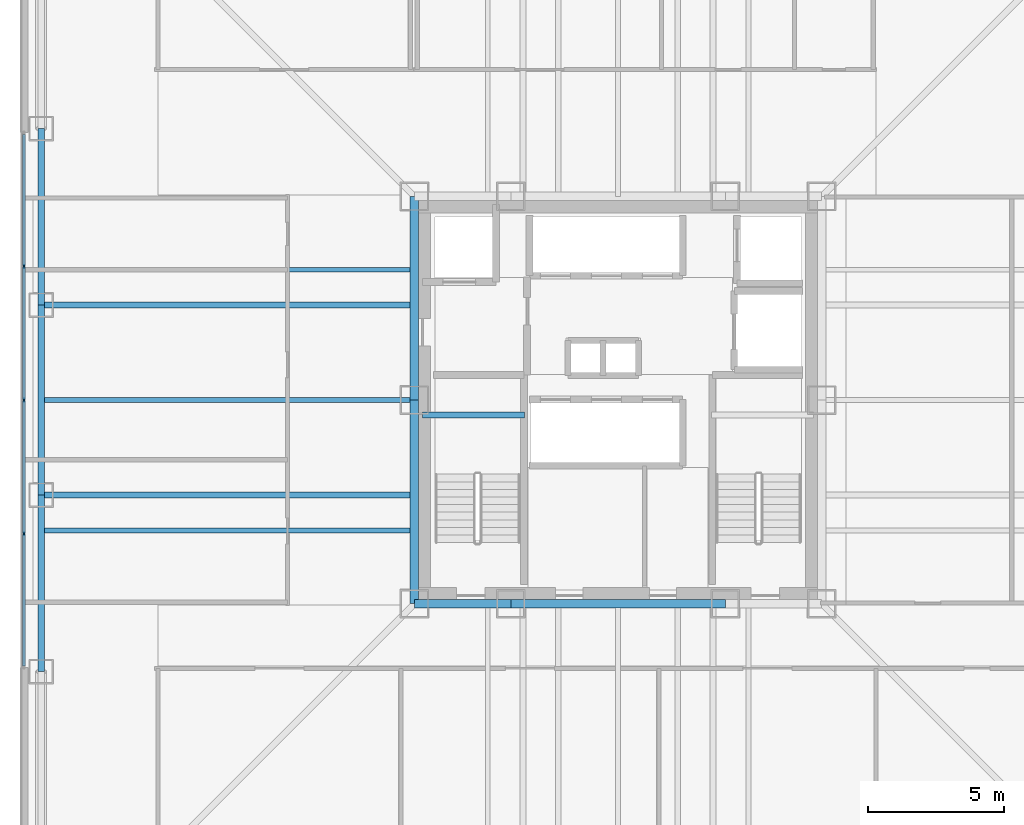
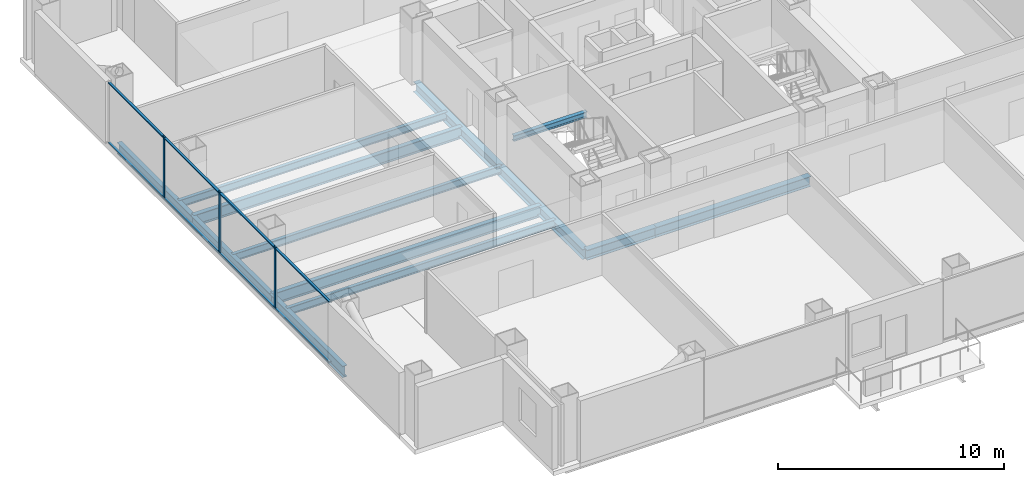
# One storey, part 4 of 14: 13 beams, 11 members, 1 element without a shape of its own.
"""IFC4 building model written with IfcOpenShell, lengths in metres."""

from ifc_helpers import new_model, si_unit, direction, frame, origin, origin_2d, place, context, subcontext, project, spatial, rectangle, i_section, extrude, material, layer, layer_set, material_profile, profile_set, type_object, element, aggregate, save


model = new_model("IFC4")

# Units and contexts
model_context = context("Model", 3, precision=1e-05, world=origin(), true_north=direction((0.0, 1.0)))
body_context = subcontext(model_context, "Body", "Model", "MODEL_VIEW")
ifc_project = project(units=[si_unit("LENGTHUNIT", "METRE"), si_unit("AREAUNIT", "SQUARE_METRE"), si_unit("VOLUMEUNIT", "CUBIC_METRE"), si_unit("PLANEANGLEUNIT", "RADIAN"), si_unit("MASSUNIT", "GRAM", prefix="KILO")], contexts=[model_context])

# Site, building, storey
site_placement = place(None, origin())
site = spatial("IfcSite", under=ifc_project, at=site_placement, CompositionType="ELEMENT")
building_placement = place(site_placement, origin())
building = spatial("IfcBuilding", under=site, at=building_placement, Name="Trevonay Congress Spire", CompositionType="ELEMENT")
storey_placement = place(building_placement, frame((0.0, 0.0, 133.60009765625)))
storey = spatial("IfcBuildingStorey", under=building, at=storey_placement, Name="L34", CompositionType="ELEMENT", Elevation=133.60009765625)

# Beams
ifc_material_1 = material(Name="Steel ASTM A572 Grade 50", Category="steel")
ifc_material_profile_1 = material_profile(ifc_material_1, i_section(OverallWidth=0.31201171875, OverallDepth=0.54296875, WebThickness=0.0126953125, FlangeThickness=0.020263671875, FilletRadius=0.014892578125, at=origin_2d()), Name="W530x150")
ifc_profile_set_1 = profile_set([ifc_material_profile_1], Name="Steel ASTM A572 Grade 50")
beam_type_1 = type_object("IfcBeamType", Name="BM-GIRD-W530X150", PredefinedType="BEAM", material=ifc_profile_set_1)
beam_1_placement = place(storey_placement, frame((-7.5, -7.5, -0.51171875), z_axis=(1.0, 0.0, 0.0), x_axis=(0.0, 1.0, 0.0)))
element("IfcBeam", 1, at=beam_1_placement, inside=storey, type_object=beam_type_1, Name="L34 structural beam BM-L34-CR-S1", PredefinedType="BEAM", context=body_context, shape_type="SweptSolid", body=[
    extrude(i_section(OverallWidth=0.31201171875, OverallDepth=0.54296875, WebThickness=0.0126953125, FlangeThickness=0.020263671875, FilletRadius=0.014892578125, at=origin_2d()), origin(), (0.0, 0.0, 1.0), 3.550048828125),
])
beam_2_placement = place(storey_placement, frame((-3.949951171875, -7.5, -0.51171875), z_axis=(1.0, 0.0, 0.0), x_axis=(0.0, 1.0, 0.0)))
element("IfcBeam", 2, at=beam_2_placement, inside=storey, type_object=beam_type_1, Name="L34 structural beam BM-L34-CR-S2", PredefinedType="BEAM", context=body_context, shape_type="SweptSolid", body=[
    extrude(i_section(OverallWidth=0.31201171875, OverallDepth=0.54296875, WebThickness=0.0126953125, FlangeThickness=0.020263671875, FilletRadius=0.014892578125, at=origin_2d()), origin(), (0.0, 0.0, 1.0), 7.89990234375),
])
for number, where, z_axis, x_axis, name in (
    (3, (-7.5, -7.5, -0.51171875), (0.0, 1.0, 0.0), (-1.0, 0.0, 0.0), "L34 structural beam BM-L34-CR-W1"),
    (4, (-7.5, 0.0, -0.51171875), (0.0, 1.0, 0.0), (-1.0, 0.0, 0.0), "L34 structural beam BM-L34-CR-W2"),
):
    element("IfcBeam", number, at=place(storey_placement, frame(where, z_axis=z_axis, x_axis=x_axis)), inside=storey, type_object=beam_type_1, Name=name, PredefinedType="BEAM", context=body_context, shape_type="SweptSolid", body=[
        extrude(i_section(OverallWidth=0.31201171875, OverallDepth=0.54296875, WebThickness=0.0126953125, FlangeThickness=0.020263671875, FilletRadius=0.014892578125, at=origin_2d()), origin(), (0.0, 0.0, 1.0), 7.5),
    ])
ifc_material_profile_2 = material_profile(ifc_material_1, i_section(OverallWidth=0.22998046875, OverallDepth=0.616943359375, WebThickness=0.01318359375, FlangeThickness=0.022216796875, FilletRadius=0.01611328125, at=origin_2d()), Name="W610x140")
ifc_profile_set_2 = profile_set([ifc_material_profile_2], Name="Steel ASTM A572 Grade 50")
beam_type_2 = type_object("IfcBeamType", Name="BM-GIRD-W610X140", PredefinedType="BEAM", material=ifc_profile_set_2)
for number, where, z_axis, x_axis, name in (
    (5, (-7.5, -3.5, -0.548583984375), (-1.0, 0.0, 0.0), (0.0, -1.0, 0.0), "L34 structural beam BM-L34-GW-M"),
    (6, (-7.5, 3.5, -0.548583984375), (-1.0, 0.0, 0.0), (0.0, -1.0, 0.0), "L34 structural beam BM-L34-GW-P"),
):
    element("IfcBeam", number, at=place(storey_placement, frame(where, z_axis=z_axis, x_axis=x_axis)), inside=storey, type_object=beam_type_2, Name=name, PredefinedType="BEAM", context=body_context, shape_type="SweptSolid", body=[
        extrude(i_section(OverallWidth=0.22998046875, OverallDepth=0.616943359375, WebThickness=0.01318359375, FlangeThickness=0.022216796875, FilletRadius=0.01611328125, at=origin_2d()), origin(), (0.0, 0.0, 1.0), 13.75),
    ])
ifc_material_profile_3 = material_profile(ifc_material_1, i_section(OverallWidth=0.22802734375, OverallDepth=0.60791015625, WebThickness=0.01123046875, FlangeThickness=0.017333984375, FilletRadius=0.01611328125, at=origin_2d()), Name="W610x113")
ifc_profile_set_3 = profile_set([ifc_material_profile_3], Name="Steel ASTM A572 Grade 50")
beam_type_3 = type_object("IfcBeamType", Name="BM-RING-W610X113", PredefinedType="BEAM", material=ifc_profile_set_3)
beam_3_placement = place(storey_placement, frame((-21.25, -10.0, -0.544189453125), z_axis=(0.0, 1.0, 0.0), x_axis=(-1.0, 0.0, 0.0)))
element("IfcBeam", 7, at=beam_3_placement, inside=storey, type_object=beam_type_3, Name="L34 structural beam BM-L34-PW2", PredefinedType="BEAM", context=body_context, shape_type="SweptSolid", body=[
    extrude(i_section(OverallWidth=0.22802734375, OverallDepth=0.60791015625, WebThickness=0.01123046875, FlangeThickness=0.017333984375, FilletRadius=0.01611328125, at=origin_2d()), origin(), (0.0, 0.0, 1.0), 6.5),
])
beam_4_placement = place(storey_placement, frame((-21.25, -3.5, -0.544189453125), z_axis=(0.0, 1.0, 0.0), x_axis=(-1.0, 0.0, 0.0)))
element("IfcBeam", 8, at=beam_4_placement, inside=storey, type_object=beam_type_3, Name="L34 structural beam BM-L34-PW3", PredefinedType="BEAM", context=body_context, shape_type="SweptSolid", body=[
    extrude(i_section(OverallWidth=0.22802734375, OverallDepth=0.60791015625, WebThickness=0.01123046875, FlangeThickness=0.017333984375, FilletRadius=0.01611328125, at=origin_2d()), origin(), (0.0, 0.0, 1.0), 7.0),
])
beam_5_placement = place(storey_placement, frame((-21.25, 3.5, -0.544189453125), z_axis=(0.0, 1.0, 0.0), x_axis=(-1.0, 0.0, 0.0)))
element("IfcBeam", 9, at=beam_5_placement, inside=storey, type_object=beam_type_3, Name="L34 structural beam BM-L34-PW4", PredefinedType="BEAM", context=body_context, shape_type="SweptSolid", body=[
    extrude(i_section(OverallWidth=0.22802734375, OverallDepth=0.60791015625, WebThickness=0.01123046875, FlangeThickness=0.017333984375, FilletRadius=0.01611328125, at=origin_2d()), origin(), (0.0, 0.0, 1.0), 6.5),
])

# Curtain wall, members
ifc_material_2 = material(Name="Pale Anodised Aluminium EN AW-6063-T6", Category="aluminium")
ifc_layer = layer(ifc_material_2, 0.175048828125, Name="Pale Anodised Aluminium EN AW-6063-T6")
ifc_layer_set = layer_set([ifc_layer], Name="Pale Anodised Aluminium EN AW-6063-T6")
curtain_wall_type = type_object("IfcCurtainWallType", Name="CW-SYS03-CONGRESS-PALE-METAL", PredefinedType="NOTDEFINED", material=ifc_layer_set)
curtain_wall_placement = place(storey_placement, origin())
curtain_wall = element("IfcCurtainWall", 10, at=curtain_wall_placement, inside=storey, type_object=curtain_wall_type, Name="L34 W unitised curtain wall", PredefinedType="NOTDEFINED")
ifc_material_profile_4 = material_profile(ifc_material_2, rectangle(XDim=0.06005859375, YDim=0.159912109375, at=origin_2d()), Name="CW-MULLION-160-ALUMINIUM")
ifc_profile_set_4 = profile_set([ifc_material_profile_4], Name="Pale Anodised Aluminium EN AW-6063-T6")
member_type_1 = type_object("IfcMemberType", Name="CW-MULLION-160-ALUMINIUM", PredefinedType="MULLION", material=ifc_profile_set_4)
member_1_placement = place(storey_placement, frame((-21.8798828125, -4.925048828125, 0.0), z_axis=(0.0, 0.0, 1.0), x_axis=(-1.0, 0.0, 0.0)))
member_1 = element("IfcMember", 11, at=member_1_placement, type_object=member_type_1, Name="CW03 mullion 2", PredefinedType="MULLION", context=body_context, shape_type="SweptSolid", body=[
    extrude(rectangle(XDim=0.06005859375, YDim=0.159912109375, at=origin_2d()), origin(), (0.0, 0.0, 1.0), 3.35986328125),
])
member_2_placement = place(storey_placement, frame((-21.8798828125, 0.0, 0.0), z_axis=(0.0, 0.0, 1.0), x_axis=(-1.0, 0.0, 0.0)))
member_2 = element("IfcMember", 12, at=member_2_placement, type_object=member_type_1, Name="CW03 mullion 3", PredefinedType="MULLION", context=body_context, shape_type="SweptSolid", body=[
    extrude(rectangle(XDim=0.06005859375, YDim=0.159912109375, at=origin_2d()), origin(), (0.0, 0.0, 1.0), 3.35986328125),
])
member_3_placement = place(storey_placement, frame((-21.8798828125, 4.925048828125, 0.0), z_axis=(0.0, 0.0, 1.0), x_axis=(-1.0, 0.0, 0.0)))
member_3 = element("IfcMember", 13, at=member_3_placement, type_object=member_type_1, Name="CW03 mullion 4", PredefinedType="MULLION", context=body_context, shape_type="SweptSolid", body=[
    extrude(rectangle(XDim=0.06005859375, YDim=0.159912109375, at=origin_2d()), origin(), (0.0, 0.0, 1.0), 3.35986328125),
])
ifc_material_profile_5 = material_profile(ifc_material_2, rectangle(XDim=0.1201171875, YDim=0.06005859375, at=origin_2d()), Name="CW-TRANSOM-120-ALUMINIUM")
ifc_profile_set_5 = profile_set([ifc_material_profile_5], Name="Pale Anodised Aluminium EN AW-6063-T6")
member_type_2 = type_object("IfcMemberType", Name="CW-TRANSOM-120-ALUMINIUM", PredefinedType="USERDEFINED", material=ifc_profile_set_5)
member_4_placement = place(storey_placement, frame((-21.8798828125, -9.7900390625, 0.059814453125), z_axis=(0.0, 1.0, 0.0), x_axis=(-1.0, 0.0, 0.0)))
member_4 = element("IfcMember", 14, at=member_4_placement, type_object=member_type_2, Name="CW03 transom 1.1", ObjectType="TRANSOM", PredefinedType="USERDEFINED", context=body_context, shape_type="SweptSolid", body=[
    extrude(rectangle(XDim=0.1201171875, YDim=0.06005859375, at=origin_2d()), origin(), (0.0, 0.0, 1.0), 4.8349609375),
])
member_5_placement = place(storey_placement, frame((-21.8798828125, -9.7900390625, 3.2998046875), z_axis=(0.0, 1.0, 0.0), x_axis=(-1.0, 0.0, 0.0)))
member_5 = element("IfcMember", 15, at=member_5_placement, type_object=member_type_2, Name="CW03 transom 1.2", ObjectType="TRANSOM", PredefinedType="USERDEFINED", context=body_context, shape_type="SweptSolid", body=[
    extrude(rectangle(XDim=0.1201171875, YDim=0.06005859375, at=origin_2d()), origin(), (0.0, 0.0, 1.0), 4.8349609375),
])
member_6_placement = place(storey_placement, frame((-21.8798828125, -4.89501953125, 0.059814453125), z_axis=(0.0, 1.0, 0.0), x_axis=(-1.0, 0.0, 0.0)))
member_6 = element("IfcMember", 16, at=member_6_placement, type_object=member_type_2, Name="CW03 transom 2.1", ObjectType="TRANSOM", PredefinedType="USERDEFINED", context=body_context, shape_type="SweptSolid", body=[
    extrude(rectangle(XDim=0.1201171875, YDim=0.06005859375, at=origin_2d()), origin(), (0.0, 0.0, 1.0), 4.864990234375),
])
member_7_placement = place(storey_placement, frame((-21.8798828125, -4.89501953125, 3.2998046875), z_axis=(0.0, 1.0, 0.0), x_axis=(-1.0, 0.0, 0.0)))
member_7 = element("IfcMember", 17, at=member_7_placement, type_object=member_type_2, Name="CW03 transom 2.2", ObjectType="TRANSOM", PredefinedType="USERDEFINED", context=body_context, shape_type="SweptSolid", body=[
    extrude(rectangle(XDim=0.1201171875, YDim=0.06005859375, at=origin_2d()), origin(), (0.0, 0.0, 1.0), 4.864990234375),
])
member_8_placement = place(storey_placement, frame((-21.8798828125, 0.030029296875, 0.059814453125), z_axis=(0.0, 1.0, 0.0), x_axis=(-1.0, 0.0, 0.0)))
member_8 = element("IfcMember", 18, at=member_8_placement, type_object=member_type_2, Name="CW03 transom 3.1", ObjectType="TRANSOM", PredefinedType="USERDEFINED", context=body_context, shape_type="SweptSolid", body=[
    extrude(rectangle(XDim=0.1201171875, YDim=0.06005859375, at=origin_2d()), origin(), (0.0, 0.0, 1.0), 4.864990234375),
])
member_9_placement = place(storey_placement, frame((-21.8798828125, 0.030029296875, 3.2998046875), z_axis=(0.0, 1.0, 0.0), x_axis=(-1.0, 0.0, 0.0)))
member_9 = element("IfcMember", 19, at=member_9_placement, type_object=member_type_2, Name="CW03 transom 3.2", ObjectType="TRANSOM", PredefinedType="USERDEFINED", context=body_context, shape_type="SweptSolid", body=[
    extrude(rectangle(XDim=0.1201171875, YDim=0.06005859375, at=origin_2d()), origin(), (0.0, 0.0, 1.0), 4.864990234375),
])
member_10_placement = place(storey_placement, frame((-21.8798828125, 4.955078125, 0.059814453125), z_axis=(0.0, 1.0, 0.0), x_axis=(-1.0, 0.0, 0.0)))
member_10 = element("IfcMember", 20, at=member_10_placement, type_object=member_type_2, Name="CW03 transom 4.1", ObjectType="TRANSOM", PredefinedType="USERDEFINED", context=body_context, shape_type="SweptSolid", body=[
    extrude(rectangle(XDim=0.1201171875, YDim=0.06005859375, at=origin_2d()), origin(), (0.0, 0.0, 1.0), 4.8349609375),
])
member_11_placement = place(storey_placement, frame((-21.8798828125, 4.955078125, 3.2998046875), z_axis=(0.0, 1.0, 0.0), x_axis=(-1.0, 0.0, 0.0)))
member_11 = element("IfcMember", 21, at=member_11_placement, type_object=member_type_2, Name="CW03 transom 4.2", ObjectType="TRANSOM", PredefinedType="USERDEFINED", context=body_context, shape_type="SweptSolid", body=[
    extrude(rectangle(XDim=0.1201171875, YDim=0.06005859375, at=origin_2d()), origin(), (0.0, 0.0, 1.0), 4.8349609375),
])
aggregate(curtain_wall, [member_1, member_2, member_3, member_4, member_5, member_6, member_7, member_8, member_9, member_10, member_11])

# Beams
ifc_material_profile_6 = material_profile(ifc_material_1, i_section(OverallWidth=0.177978515625, OverallDepth=0.406982421875, WebThickness=0.0078125, FlangeThickness=0.0126953125, FilletRadius=0.012939453125, at=origin_2d()), Name="W410x60")
ifc_profile_set_6 = profile_set([ifc_material_profile_6], Name="Steel ASTM A572 Grade 50")
beam_type_4 = type_object("IfcBeamType", Name="JS-COMP-W410X60", PredefinedType="JOIST", material=ifc_profile_set_6)
for number, where, z_axis, x_axis, name in (
    (22, (-21.25, -4.800048828125, -0.443603515625), (1.0, 0.0, 0.0), (0.0, 1.0, 0.0), "L34 structural beam JS-L34-EW-W1"),
    (23, (-21.25, 0.0, -0.443603515625), (1.0, 0.0, 0.0), (0.0, 1.0, 0.0), "L34 structural beam JS-L34-EW-W2"),
    (24, (-21.25, 4.800048828125, -0.443603515625), (1.0, 0.0, 0.0), (0.0, 1.0, 0.0), "L34 structural beam JS-L34-EW-W3"),
):
    element("IfcBeam", number, at=place(storey_placement, frame(where, z_axis=z_axis, x_axis=x_axis)), inside=storey, type_object=beam_type_4, Name=name, PredefinedType="JOIST", context=body_context, shape_type="SweptSolid", body=[
        extrude(i_section(OverallWidth=0.177978515625, OverallDepth=0.406982421875, WebThickness=0.0078125, FlangeThickness=0.0126953125, FilletRadius=0.012939453125, at=origin_2d()), origin(), (0.0, 0.0, 1.0), 13.75),
    ])
ifc_material_profile_7 = material_profile(ifc_material_1, i_section(OverallWidth=0.2041015625, OverallDepth=0.305908203125, WebThickness=0.008544921875, FlangeThickness=0.0146484375, FilletRadius=0.010986328125, at=origin_2d()), Name="W310x67")
ifc_profile_set_7 = profile_set([ifc_material_profile_7], Name="Steel ASTM A572 Grade 50")
beam_type_5 = type_object("IfcBeamType", Name="LN-CORE-W310X67", PredefinedType="LINTEL", material=ifc_profile_set_7)
beam_6_placement = place(storey_placement, frame((-7.199951171875, -0.550048828125, 1.447021484375), z_axis=(1.0, 0.0, 0.0), x_axis=(0.0, 1.0, 0.0)))
element("IfcBeam", 25, at=beam_6_placement, inside=storey, type_object=beam_type_5, Name="L34 structural beam BM-L34-HL-ST1", PredefinedType="LINTEL", context=body_context, shape_type="SweptSolid", body=[
    extrude(i_section(OverallWidth=0.2041015625, OverallDepth=0.305908203125, WebThickness=0.008544921875, FlangeThickness=0.0146484375, FilletRadius=0.010986328125, at=origin_2d()), origin(), (0.0, 0.0, 1.0), 3.75),
])

save(model, "model.ifc")
